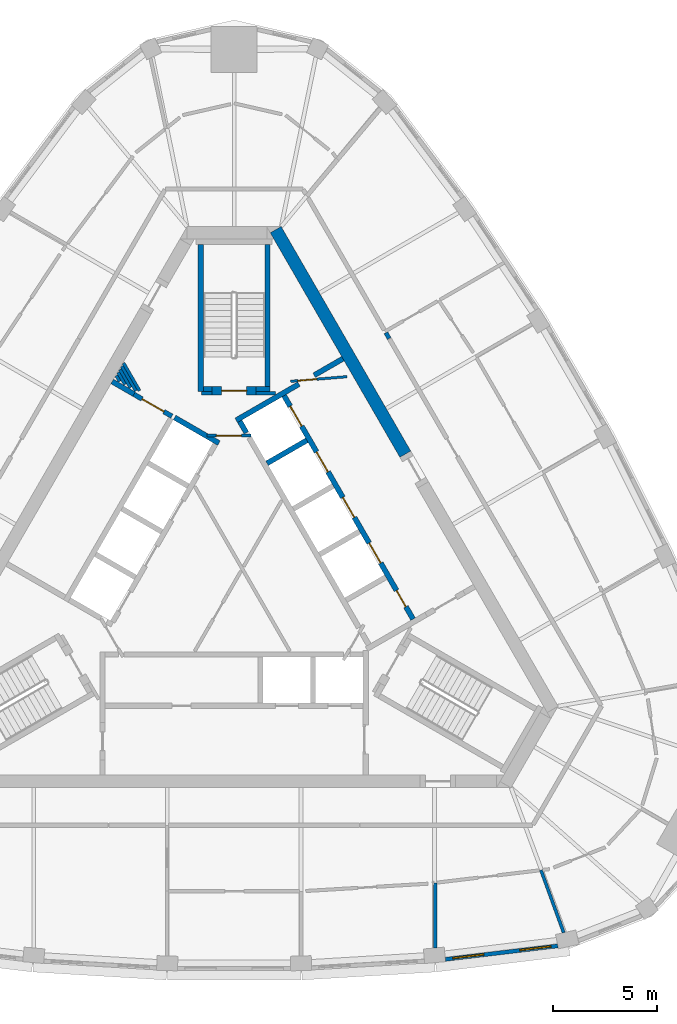
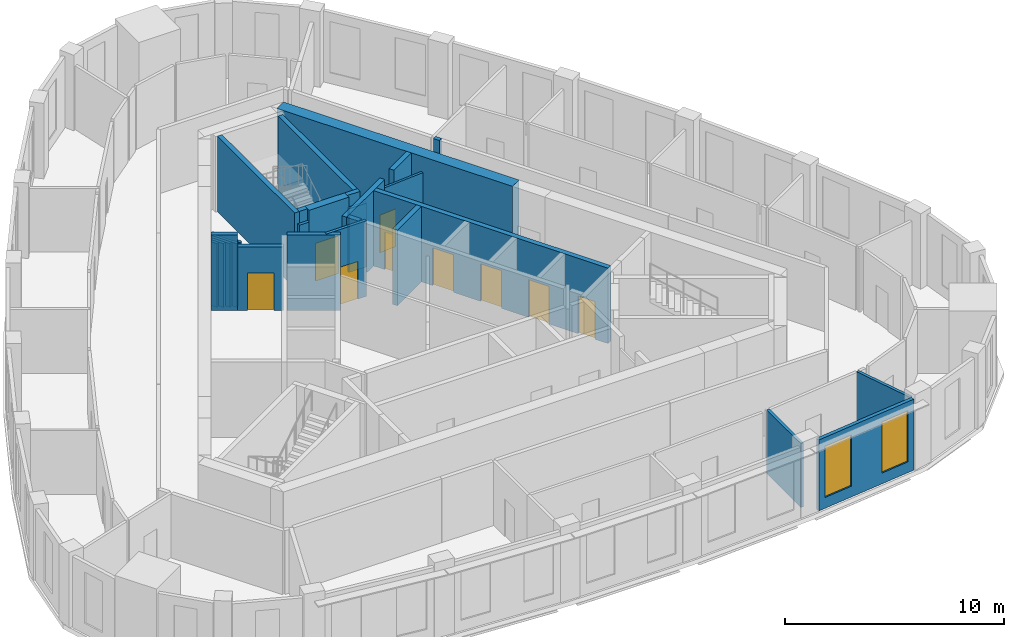
# One storey, part 6 of 10: 27 walls, 9 doors, 2 windows, 11 openings.
"""IFC4 building model written with IfcOpenShell, lengths in metres."""

import ifcopenshell
import ifcopenshell.guid

model = None  # the IFC model being written
_history = None  # IfcOwnerHistory: only IFC2X3 demands one
_inside = {}  # id of a spatial element -> (the spatial element, [elements in it])
_under = {}  # id of a project, library or spatial element -> (it, [spatial elements below it])
_declared = {}  # id of a project -> (the project, [libraries it declares])
_typed = {}  # id of a type object -> (the type object, [elements of that type])
_made_of = {}  # id of a material, layer set ... -> (it, [elements and type objects made of it])


def new_model(schema):
    """Start an empty IFC model of exactly this schema.

    Asked for "IFC4X3", IfcOpenShell would pick the latest addendum, in which some entities
    have other attributes; the version numbers below select the first issue.
    IFC2X3 requires an IfcOwnerHistory on every rooted entity: one is made here for all.
    """
    global model, _history
    if schema == "IFC4X3":
        model = ifcopenshell.file(schema_version=(4, 3, 0, 0))
    else:
        model = ifcopenshell.file(schema=schema)
    _inside.clear()
    _under.clear()
    _declared.clear()
    _typed.clear()
    _made_of.clear()
    _history = None
    if model.schema == "IFC2X3":
        org = make("IfcOrganization", Name="unknown")
        user = make(
            "IfcPersonAndOrganization",
            ThePerson=make("IfcPerson", FamilyName="unknown"),
            TheOrganization=org,
        )
        app = make(
            "IfcApplication",
            ApplicationDeveloper=org,
            Version="unknown",
            ApplicationFullName="unknown",
            ApplicationIdentifier="unknown",
        )
        _history = make(
            "IfcOwnerHistory",
            OwningUser=user,
            OwningApplication=app,
            ChangeAction="ADDED",
            CreationDate=0,
        )
    return model


def make(cls, **values):
    """One entity of the class cls with the attributes given. An attribute that is None is left unset."""
    return model.create_entity(
        cls, **{name: value for name, value in values.items() if value is not None}
    )


def rooted(cls, **values):
    """An entity with a GlobalId (a new one), such as an element, a storey or a relation."""
    return make(cls, GlobalId=ifcopenshell.guid.new(), OwnerHistory=_history, **values)


def si_unit(unit_type, name, prefix=None):
    """IfcSIUnit, for example si_unit("LENGTHUNIT", "METRE", prefix="MILLI")."""
    return make("IfcSIUnit", UnitType=unit_type, Prefix=prefix, Name=name)


def assignment(units):
    """IfcUnitAssignment: the units of a project."""
    return None if units is None else make("IfcUnitAssignment", Units=units)


def point(xyz):
    """IfcCartesianPoint."""
    return None if xyz is None else make("IfcCartesianPoint", Coordinates=xyz)


def direction(xyz):
    """IfcDirection."""
    return None if xyz is None else make("IfcDirection", DirectionRatios=xyz)


def frame(location, z_axis=None, x_axis=None):
    """IfcAxis2Placement3D, a coordinate frame: its origin and axes. An axis left out is left unset."""
    return make(
        "IfcAxis2Placement3D",
        Location=point(location),
        Axis=direction(z_axis),
        RefDirection=direction(x_axis),
    )


def frame_2d(location, x_axis=None):
    """IfcAxis2Placement2D, a coordinate frame in the plane: its origin and x axis."""
    return make(
        "IfcAxis2Placement2D", Location=point(location), RefDirection=direction(x_axis)
    )


def origin():
    """The frame at (0, 0, 0) with its axes left unset."""
    return frame((0.0, 0.0, 0.0))


def place(relative_to, where):
    """IfcLocalPlacement: puts the frame where relative to a parent placement (None: the world)."""
    return make(
        "IfcLocalPlacement", PlacementRelTo=relative_to, RelativePlacement=where
    )


def context(
    kind, dimensions, precision=None, world=None, true_north=None, identifier=None
):
    """IfcGeometricRepresentationContext, for example the 3D "Model" context."""
    return make(
        "IfcGeometricRepresentationContext",
        ContextIdentifier=identifier,
        ContextType=kind,
        CoordinateSpaceDimension=dimensions,
        Precision=precision,
        WorldCoordinateSystem=world,
        TrueNorth=true_north,
    )


def subcontext(parent, identifier, kind, view, scale=None):
    """IfcGeometricRepresentationSubContext, for example "Body" below "Model"."""
    return make(
        "IfcGeometricRepresentationSubContext",
        ContextIdentifier=identifier,
        ContextType=kind,
        ParentContext=parent,
        TargetScale=scale,
        TargetView=view,
    )


def project(units=None, contexts=None):
    """IfcProject with its units and contexts."""
    return rooted(
        "IfcProject",
        Name="project",
        RepresentationContexts=contexts,
        UnitsInContext=assignment(units),
    )


def spatial(cls, under=None, at=None, **own):
    """A site, building, storey or space (cls), placed at a placement, below another one or the project."""
    s = rooted(cls, ObjectPlacement=at, **own)
    if under is not None:
        _under.setdefault(under.id(), (under, []))[1].append(s)
    return s


def polyline(points):
    """IfcPolyline through the points."""
    return make("IfcPolyline", Points=[point(p) for p in points])


def profile(cls, at=None, kind="AREA", **sizes):
    """A parametric profile (cls). Its sizes go by their IFC names, for example OverallWidth=200.0."""
    return make(cls, ProfileType=kind, Position=at, **sizes)


def rectangle(**sizes):
    """IfcRectangleProfileDef."""
    return profile("IfcRectangleProfileDef", **sizes)


def outline(outer, holes=None, kind="AREA"):
    """IfcArbitraryClosedProfileDef: a profile drawn as a closed curve; with holes, ...WithVoids."""
    if holes is None:
        return make("IfcArbitraryClosedProfileDef", ProfileType=kind, OuterCurve=outer)
    return make(
        "IfcArbitraryProfileDefWithVoids",
        ProfileType=kind,
        OuterCurve=outer,
        InnerCurves=holes,
    )


def extrude(swept, where, along, depth):
    """IfcExtrudedAreaSolid: the profile swept, set in the frame where, extruded along a direction by depth."""
    return make(
        "IfcExtrudedAreaSolid",
        SweptArea=swept,
        Position=where,
        ExtrudedDirection=direction(along),
        Depth=depth,
    )


def shape(context_of_items, identifier, shape_type, items):
    """IfcShapeRepresentation: the items that make up one representation, for example the "Body"."""
    return make(
        "IfcShapeRepresentation",
        ContextOfItems=context_of_items,
        RepresentationIdentifier=identifier,
        RepresentationType=shape_type,
        Items=items,
    )


def material(Name=None, Category=None):
    """IfcMaterial."""
    return make("IfcMaterial", Name=Name, Category=Category)


def layer(
    of_material, thickness, ventilated=None, Name=None, Category=None, Priority=None
):
    """IfcMaterialLayer: one layer of a wall or slab, of a material (None: an air gap)."""
    return make(
        "IfcMaterialLayer",
        Material=of_material,
        LayerThickness=thickness,
        IsVentilated=ventilated,
        Name=Name,
        Category=Category,
        Priority=Priority,
    )


def layer_set(layers, Name=None):
    """IfcMaterialLayerSet."""
    return make("IfcMaterialLayerSet", MaterialLayers=layers, LayerSetName=Name)


def made_of(thing, what):
    """Note that an element or type object is made of a material, layer set ...; save() writes the relation."""
    if what is not None:
        _made_of.setdefault(what.id(), (what, []))[1].append(thing)
    return thing


def type_object(cls, material=None, **own):
    """A type object (cls), such as IfcWallType, which elements share."""
    return made_of(rooted(cls, **own), material)


def element(
    cls,
    number,
    at=None,
    inside=None,
    cuts=None,
    type_object=None,
    material=None,
    context=None,
    identifier="Body",
    shape_type=None,
    held_by="IfcProductDefinitionShape",
    body=None,
    shapes=None,
    **own,
):
    """One element of the class cls, such as IfcWall. Its Tag is "e" and its number.

    at: its placement. inside: the storey or other place that contains it. cuts: it is an
    opening in that element (IfcRelVoidsElement). A single representation is given by context,
    identifier, shape_type and body (its items); several are given by shapes. held_by: the class
    of the entity that holds the representations. save() writes the other relations.
    """
    e = rooted(cls, Tag="e%d" % number, ObjectPlacement=at, **own)
    if body is not None:
        shapes = [shape(context, identifier, shape_type, body)]
    if shapes is not None:
        e.Representation = make(held_by, Representations=shapes)
    if inside is not None:
        _inside.setdefault(inside.id(), (inside, []))[1].append(e)
    if cuts is not None:
        rooted(
            "IfcRelVoidsElement", RelatingBuildingElement=cuts, RelatedOpeningElement=e
        )
    if type_object is not None:
        _typed.setdefault(type_object.id(), (type_object, []))[1].append(e)
    return made_of(e, material)


def fill(opening, filler):
    """IfcRelFillsElement: the door or window that sits in an opening."""
    return rooted(
        "IfcRelFillsElement",
        RelatingOpeningElement=opening,
        RelatedBuildingElement=filler,
    )


def aggregate(whole, parts):
    """IfcRelAggregates: a whole, such as a stair, and the parts it consists of."""
    return rooted("IfcRelAggregates", RelatingObject=whole, RelatedObjects=parts)


def save(model, path):
    """Write the relations noted so far, then the file.

    IfcRelAggregates (storeys below a building ...), IfcRelContainedInSpatialStructure (elements
    in a storey), IfcRelDefinesByType, IfcRelAssociatesMaterial and IfcRelDeclares: one each for
    every whole, place, type object, material and project.
    """
    for whole, parts in _under.values():
        aggregate(whole, parts)
    for where, things in _inside.values():
        rooted(
            "IfcRelContainedInSpatialStructure",
            RelatedElements=things,
            RelatingStructure=where,
        )
    for kind, things in _typed.values():
        rooted("IfcRelDefinesByType", RelatedObjects=things, RelatingType=kind)
    for what, things in _made_of.values():
        rooted("IfcRelAssociatesMaterial", RelatedObjects=things, RelatingMaterial=what)
    for by, libraries in _declared.values():
        rooted("IfcRelDeclares", RelatingContext=by, RelatedDefinitions=libraries)
    model.write(path)


model = new_model("IFC4")

# Units and contexts
model_context = context("Model", 3, precision=1e-05, world=origin(), true_north=direction((0.0, 1.0)))
body_context = subcontext(model_context, "Body", "Model", "MODEL_VIEW")
ifc_project = project(units=[si_unit("LENGTHUNIT", "METRE"), si_unit("AREAUNIT", "SQUARE_METRE"), si_unit("VOLUMEUNIT", "CUBIC_METRE"), si_unit("PLANEANGLEUNIT", "RADIAN"), si_unit("MASSUNIT", "GRAM", prefix="KILO")], contexts=[model_context])

# Site, building, storey
site_placement = place(None, origin())
site = spatial("IfcSite", under=ifc_project, at=site_placement, CompositionType="ELEMENT")
building_placement = place(site_placement, origin())
building = spatial("IfcBuilding", under=site, at=building_placement, Name="Mestral Congress Tower", CompositionType="ELEMENT")
storey_placement = place(building_placement, frame((0.0, 0.0, 271.199951171875)))
storey = spatial("IfcBuildingStorey", under=building, at=storey_placement, Name="L63", CompositionType="ELEMENT", Elevation=271.199951171875)

# Walls
ifc_material_1 = material(Name="Fire-rated board partition")
ifc_layer_1 = layer(ifc_material_1, 0.14990234375)
ifc_layer_set_1 = layer_set([ifc_layer_1], Name="Fire-rated board partition")
wall_type_1 = type_object("IfcWallType", Name="Core partition 150", PredefinedType="PARTITIONING", material=ifc_layer_set_1)
wall_1_placement = place(storey_placement, frame((-5.2939453125, 10.067138671875, 0.0), z_axis=(0.0, 0.0, 1.0), x_axis=(0.500054140411, -0.865994143547, 0.0)))
element("IfcWall", 1, at=wall_1_placement, inside=storey, type_object=wall_type_1, Name="L63 core wall", PredefinedType="PARTITIONING", context=body_context, shape_type="SweptSolid", body=[
    extrude(rectangle(XDim=1.529052734375, YDim=0.14990234375, at=frame_2d((0.7646484375, 0.0))), origin(), (0.0, 0.0, 1.0), 3.550048828125),
])
wall_2_placement = place(storey_placement, frame((-5.380615234375, 9.917236328125, 0.0), z_axis=(0.0, 0.0, 1.0), x_axis=(0.500136970483, -0.865946309396, 0.0)))
element("IfcWall", 2, at=wall_2_placement, inside=storey, type_object=wall_type_1, Name="L63 core wall", PredefinedType="PARTITIONING", context=body_context, shape_type="SweptSolid", body=[
    extrude(rectangle(XDim=1.359375, YDim=0.14990234375, at=frame_2d((0.6796875, 0.0))), origin(), (0.0, 0.0, 1.0), 3.550048828125),
])
wall_3_placement = place(storey_placement, frame((-5.467041015625, 9.76708984375, 0.0), z_axis=(0.0, 0.0, 1.0), x_axis=(0.500168849293, -0.86592789665, 0.0)))
element("IfcWall", 3, at=wall_3_placement, inside=storey, type_object=wall_type_1, Name="L63 core wall", PredefinedType="PARTITIONING", context=body_context, shape_type="SweptSolid", body=[
    extrude(rectangle(XDim=1.010009765625, YDim=0.14990234375, at=frame_2d((0.5048828125, 0.0))), origin(), (0.0, 0.0, 1.0), 3.550048828125),
])
wall_4_placement = place(storey_placement, frame((-5.5537109375, 9.6171875, 0.0), z_axis=(0.0, 0.0, 1.0), x_axis=(0.500253084543, -0.86587923604, 0.0)))
element("IfcWall", 4, at=wall_4_placement, inside=storey, type_object=wall_type_1, Name="L63 core wall", PredefinedType="PARTITIONING", context=body_context, shape_type="SweptSolid", body=[
    extrude(rectangle(XDim=0.663818359375, YDim=0.14990234375, at=frame_2d((0.33203125, 0.0))), origin(), (0.0, 0.0, 1.0), 3.550048828125),
])
wall_5_placement = place(storey_placement, frame((-5.640380859375, 9.46728515625, 0.0), z_axis=(0.0, 0.0, 1.0), x_axis=(0.499944387978, -0.86605750902, 0.0)))
element("IfcWall", 5, at=wall_5_placement, inside=storey, type_object=wall_type_1, Name="L63 core wall", PredefinedType="PARTITIONING", context=body_context, shape_type="SweptSolid", body=[
    extrude(rectangle(XDim=0.3173828125, YDim=0.14990234375, at=frame_2d((0.15869140625, 0.0))), origin(), (0.0, 0.0, 1.0), 3.550048828125),
])
wall_6_placement = place(storey_placement, frame((1.050048828125, 8.62548828125, 0.0), z_axis=(0.0, 0.0, 1.0), x_axis=(1.0, 0.0, 0.0)))
element("IfcWall", 6, at=wall_6_placement, inside=storey, type_object=wall_type_1, Name="L63 core wall", PredefinedType="PARTITIONING", context=body_context, shape_type="SweptSolid", body=[
    extrude(rectangle(XDim=0.9287109375, YDim=0.14990234375, at=frame_2d((0.46435546875, 0.0))), origin(), (0.0, 0.0, 1.0), 3.550048828125),
])
wall_7_placement = place(storey_placement, frame((-1.56396484375, 8.62548828125, 0.0), z_axis=(0.0, 0.0, 1.0), x_axis=(1.0, 0.0, 0.0)))
element("IfcWall", 7, at=wall_7_placement, inside=storey, type_object=wall_type_1, Name="L63 core wall", PredefinedType="PARTITIONING", context=body_context, shape_type="SweptSolid", body=[
    extrude(rectangle(XDim=0.513916015625, YDim=0.14990234375, at=frame_2d((0.2568359375, 0.0))), origin(), (0.0, 0.0, 1.0), 3.550048828125),
])

# Wall, opening, door
ifc_layer_2 = layer(ifc_material_1, 0.1201171875)
ifc_layer_set_2 = layer_set([ifc_layer_2], Name="Fire-rated board partition")
wall_type_2 = type_object("IfcWallType", Name="Core partition 150 door-wall 120", PredefinedType="PARTITIONING", material=ifc_layer_set_2)
wall_8_placement = place(storey_placement, frame((5.3984375, 9.418701171875, 0.0), z_axis=(0.0, 0.0, 1.0), x_axis=(-0.996653416376, -0.081743303248, 0.0)))
wall_8 = element("IfcWall", 8, at=wall_8_placement, inside=storey, type_object=wall_type_2, Name="L63 door wall", PredefinedType="PARTITIONING", context=body_context, shape_type="SweptSolid", body=[
    extrude(rectangle(XDim=2.699951171875, YDim=0.119873046875, at=frame_2d((1.35009765625, 0.0))), origin(), (0.0, 0.0, 1.0), 3.550048828125),
])
opening_1_placement = place(wall_8_placement, frame((1.449951171875, 0.0, 0.0)))
opening_1 = element("IfcOpeningElement", 9, at=opening_1_placement, cuts=wall_8, Name="Opening TD2", PredefinedType="OPENING", context=body_context, shape_type="SweptSolid", body=[
    extrude(rectangle(XDim=0.89990234375, YDim=2.10009765625, at=frame_2d((0.449951171875, 1.050048828125))), frame((0.0, 0.06982421875, 0.0), z_axis=(0.0, -1.0, 0.0), x_axis=(1.0, 0.0, 0.0)), (0.0, 0.0, 1.0), 0.139892578125),
])
ifc_material_2 = material(Name="Fire-rated steel door set", Category="steel")
door_type_1 = type_object("IfcDoorType", Name="Core door SR 900x2100", OperationType="SINGLE_SWING_LEFT", PredefinedType="DOOR", material=ifc_material_2)
door_1_placement = place(opening_1_placement, origin())
door_1 = element("IfcDoor", 10, at=door_1_placement, inside=storey, type_object=door_type_1, Name="Door TD2", OperationType="SINGLE_SWING_LEFT", OverallHeight=2.10009765625, OverallWidth=0.89990234375, PredefinedType="DOOR", context=body_context, shape_type="SweptSolid", body=[
    extrude(rectangle(XDim=0.89990234375, YDim=2.10009765625, at=frame_2d((0.449951171875, 1.050048828125))), frame((0.0, 0.02490234375, 0.0), z_axis=(0.0, -1.0, 0.0), x_axis=(1.0, 0.0, 0.0)), (0.0, 0.0, 1.0), 0.050048828125),
])
fill(opening_1, door_1)

ifc_layer_3 = layer(ifc_material_1, 0.22607421875)
ifc_layer_set_3 = layer_set([ifc_layer_3], Name="Fire-rated board partition")
wall_type_3 = type_object("IfcWallType", Name="Core partition 150 door-wall 226", PredefinedType="PARTITIONING", material=ifc_layer_set_3)
wall_9_placement = place(storey_placement, frame((-4.796142578125, 8.5751953125, 0.0), z_axis=(0.0, 0.0, 1.0), x_axis=(0.866009402589, -0.500027713859, 0.0)))
wall_9 = element("IfcWall", 11, at=wall_9_placement, inside=storey, type_object=wall_type_3, Name="L63 door wall", PredefinedType="PARTITIONING", context=body_context, shape_type="SweptSolid", body=[
    extrude(rectangle(XDim=2.10009765625, YDim=0.226318359375, at=frame_2d((1.050048828125, 0.0))), origin(), (0.0, 0.0, 1.0), 3.550048828125),
])
opening_2_placement = place(wall_9_placement, frame((0.449951171875, 0.0, 0.0)))
opening_2 = element("IfcOpeningElement", 12, at=opening_2_placement, cuts=wall_9, Name="Opening LB2-WL2", PredefinedType="OPENING", context=body_context, shape_type="SweptSolid", body=[
    extrude(rectangle(XDim=1.199951171875, YDim=2.10009765625, at=frame_2d((0.60009765625, 1.050048828125))), frame((0.0, 0.123046875, 0.0), z_axis=(0.0, -1.0, 0.0), x_axis=(1.0, 0.0, 0.0)), (0.0, 0.0, 1.0), 0.246337890625),
])
door_type_2 = type_object("IfcDoorType", Name="Core door LB 1200x2100", OperationType="SINGLE_SWING_LEFT", PredefinedType="DOOR", material=ifc_material_2)
door_2_placement = place(opening_2_placement, origin())
door_2 = element("IfcDoor", 13, at=door_2_placement, inside=storey, type_object=door_type_2, Name="Door LB2-WL2", OperationType="SINGLE_SWING_LEFT", OverallHeight=2.10009765625, OverallWidth=1.199951171875, PredefinedType="DOOR", context=body_context, shape_type="SweptSolid", body=[
    extrude(rectangle(XDim=1.199951171875, YDim=2.10009765625, at=frame_2d((0.60009765625, 1.050048828125))), frame((0.0, 0.02490234375, 0.0), z_axis=(0.0, -1.0, 0.0), x_axis=(1.0, 0.0, 0.0)), (0.0, 0.0, 1.0), 0.050048828125),
])
fill(opening_2, door_2)

# Wall
ifc_material_3 = material(Name="Concrete C60/75", Category="concrete")
ifc_layer_4 = layer(ifc_material_3, 0.60009765625)
ifc_layer_set_4 = layer_set([ifc_layer_4], Name="Concrete C60/75")
wall_type_4 = type_object("IfcWallType", Name="Core wall RC 600", PredefinedType="SOLIDWALL", material=ifc_layer_set_4)
wall_10_placement = place(storey_placement, frame((1.98876953125, 16.45556640625, 0.0), z_axis=(0.0, 0.0, 1.0), x_axis=(0.49999102663, -0.8660305845, 0.0)))
element("IfcWall", 14, at=wall_10_placement, inside=storey, type_object=wall_type_4, Name="L63 core wall", PredefinedType="SOLIDWALL", context=body_context, shape_type="SweptSolid", body=[
    extrude(rectangle(XDim=12.406494140625, YDim=0.60009765625, at=frame_2d((6.203125, 0.0))), origin(), (0.0, 0.0, 1.0), 4.199951171875),
])

# Wall, openings, windows
ifc_material_4 = material(Name="Precast concrete C40/50 with limestone facing", Category="masonry")
ifc_layer_5 = layer(ifc_material_4, 0.18994140625)
ifc_layer_set_5 = layer_set([ifc_layer_5], Name="Precast concrete C40/50 with limestone facing")
wall_type_5 = type_object("IfcWallType", Name="Facade stone wall 190", PredefinedType="SOLIDWALL", material=ifc_layer_set_5)
wall_11_placement = place(storey_placement, frame((10.110595703125, -18.4677734375, 0.0), z_axis=(0.0, 0.0, 1.0), x_axis=(0.992885582795, 0.119072328769, 0.0)))
wall_11 = element("IfcWall", 15, at=wall_11_placement, inside=storey, type_object=wall_type_5, Name="Facade wall F0-04", PredefinedType="SOLIDWALL", context=body_context, shape_type="SweptSolid", body=[
    extrude(rectangle(XDim=5.4150390625, YDim=0.18994140625, at=frame_2d((2.70751953125, 0.0))), origin(), (0.0, 0.0, 1.0), 3.949951171875),
])
opening_3_placement = place(wall_11_placement, frame((0.357421875, 0.0, 0.60009765625)))
opening_3 = element("IfcOpeningElement", 16, at=opening_3_placement, cuts=wall_11, Name="Opening W6", PredefinedType="OPENING", context=body_context, shape_type="SweptSolid", body=[
    extrude(rectangle(XDim=1.5, YDim=2.85009765625, at=frame_2d((0.75, 1.425048828125))), frame((0.0, 0.10498046875, 0.0), z_axis=(0.0, -1.0, 0.0), x_axis=(1.0, 0.0, 0.0)), (0.0, 0.0, 1.0), 0.2099609375),
])
opening_4_placement = place(wall_11_placement, frame((3.592529296875, 0.0, 0.60009765625)))
opening_4 = element("IfcOpeningElement", 17, at=opening_4_placement, cuts=wall_11, Name="Opening W6", PredefinedType="OPENING", context=body_context, shape_type="SweptSolid", body=[
    extrude(rectangle(XDim=1.5, YDim=2.85009765625, at=frame_2d((0.75, 1.425048828125))), frame((0.0, 0.10498046875, 0.0), z_axis=(0.0, -1.0, 0.0), x_axis=(1.0, 0.0, 0.0)), (0.0, 0.0, 1.0), 0.2099609375),
])
ifc_material_5 = material(Name="Clear low-emissivity double glazing", Category="glass")
window_type = type_object("IfcWindowType", Name="Facade punched window 1500 x 2850 sill 600", PartitioningType="SINGLE_PANEL", PredefinedType="WINDOW", material=ifc_material_5)
window_1_placement = place(opening_3_placement, origin())
window_1 = element("IfcWindow", 18, at=window_1_placement, inside=storey, type_object=window_type, Name="Window F0-04a", OverallHeight=2.85009765625, OverallWidth=1.5, PartitioningType="SINGLE_PANEL", PredefinedType="WINDOW", context=body_context, shape_type="SweptSolid", body=[
    extrude(rectangle(XDim=1.5, YDim=2.85009765625, at=frame_2d((0.75, 1.425048828125))), frame((0.0, 0.044921875, 0.0), z_axis=(0.0, -1.0, 0.0), x_axis=(1.0, 0.0, 0.0)), (0.0, 0.0, 1.0), 0.06005859375),
])
fill(opening_3, window_1)
window_2_placement = place(opening_4_placement, origin())
window_2 = element("IfcWindow", 19, at=window_2_placement, inside=storey, type_object=window_type, Name="Window F0-04b", OverallHeight=2.85009765625, OverallWidth=1.5, PartitioningType="SINGLE_PANEL", PredefinedType="WINDOW", context=body_context, shape_type="SweptSolid", body=[
    extrude(rectangle(XDim=1.5, YDim=2.85009765625, at=frame_2d((0.75, 1.425048828125))), frame((0.0, 0.044921875, 0.0), z_axis=(0.0, -1.0, 0.0), x_axis=(1.0, 0.0, 0.0)), (0.0, 0.0, 1.0), 0.06005859375),
])
fill(opening_4, window_2)

# Walls
ifc_material_6 = material(Name="Plasterboard partition on steel studs", Category="steel")
ifc_layer_6 = layer(ifc_material_6, 0.14990234375)
ifc_layer_set_6 = layer_set([ifc_layer_6], Name="Plasterboard partition on steel studs")
wall_type_6 = type_object("IfcWallType", Name="Office partition 150", PredefinedType="PARTITIONING", material=ifc_layer_set_6)
wall_12_placement = place(storey_placement, frame((9.62744140625, -14.80419921875, 0.0), z_axis=(0.0, 0.0, 1.0), x_axis=(0.0, -1.0, 0.0)))
element("IfcWall", 20, at=wall_12_placement, inside=storey, type_object=wall_type_6, Name="Partition", PredefinedType="PARTITIONING", context=body_context, shape_type="SweptSolid", body=[
    extrude(rectangle(XDim=3.114501953125, YDim=0.14990234375, at=frame_2d((1.55712890625, 0.0))), origin(), (0.0, 0.0, 1.0), 3.550048828125),
])
wall_13_placement = place(storey_placement, frame((14.68603515625, -14.19775390625, 0.0), z_axis=(0.0, 0.0, 1.0), x_axis=(0.341804623966, -0.939771035431, 0.0)))
element("IfcWall", 21, at=wall_13_placement, inside=storey, type_object=wall_type_6, Name="Partition", PredefinedType="PARTITIONING", context=body_context, shape_type="SweptSolid", body=[
    extrude(rectangle(XDim=3.184326171875, YDim=0.14990234375, at=frame_2d((1.59228515625, 0.0))), origin(), (0.0, 0.0, 1.0), 3.550048828125),
])
ifc_material_7 = material(Name="Dense masonry wall, plastered", Category="masonry")
ifc_layer_7 = layer(ifc_material_7, 0.199951171875)
ifc_layer_set_7 = layer_set([ifc_layer_7], Name="Dense masonry wall, plastered")
wall_type_7 = type_object("IfcWallType", Name="Office tenancy wall 200", PredefinedType="PARTITIONING", material=ifc_layer_set_7)
wall_14_placement = place(storey_placement, frame((7.420654296875, 11.2470703125, 0.0), z_axis=(0.0, 0.0, 1.0), x_axis=(-0.500303403544, 0.865850162789, 0.0)))
element("IfcWall", 22, at=wall_14_placement, inside=storey, type_object=wall_type_7, Name="Tenancy wall", PredefinedType="PARTITIONING", context=body_context, shape_type="SweptSolid", body=[
    extrude(rectangle(XDim=0.315185546875, YDim=0.199951171875, at=frame_2d((0.15771484375, 0.0))), origin(), (0.0, 0.0, 1.0), 3.550048828125),
])
ifc_layer_8 = layer(ifc_material_3, 0.25)
ifc_layer_set_8 = layer_set([ifc_layer_8], Name="Concrete C60/75")
wall_type_8 = type_object("IfcWallType", Name="Shaft wall RC 250", PredefinedType="SOLIDWALL", material=ifc_layer_set_8)
wall_15_placement = place(storey_placement, frame((3.10009765625, 9.064453125, 0.0), z_axis=(0.0, 0.0, 1.0), x_axis=(-0.866033137035, -0.499986605379, 0.0)))
element("IfcWall", 23, at=wall_15_placement, inside=storey, type_object=wall_type_8, Name="L63 core wall", PredefinedType="SOLIDWALL", context=body_context, shape_type="SweptSolid", body=[
    extrude(rectangle(XDim=3.466796875, YDim=0.25, at=frame_2d((1.7333984375, 0.0))), origin(), (0.0, 0.0, 1.0), 4.199951171875),
])
wall_16_placement = place(storey_placement, frame((0.268310546875, 7.28515625, 0.0), z_axis=(0.0, 0.0, 1.0), x_axis=(0.500098681536, -0.865968422476, 0.0)))
element("IfcWall", 24, at=wall_16_placement, inside=storey, type_object=wall_type_8, Name="L63 core wall", PredefinedType="SOLIDWALL", context=body_context, shape_type="SweptSolid", body=[
    extrude(rectangle(XDim=0.636474609375, YDim=0.25, at=frame_2d((0.318359375, 0.0))), origin(), (0.0, 0.0, 1.0), 4.199951171875),
])
wall_17_placement = place(storey_placement, frame((1.57421875, 5.273681640625, 0.0), z_axis=(0.0, 0.0, 1.0), x_axis=(0.866028486751, 0.499994660107, 0.0)))
element("IfcWall", 25, at=wall_17_placement, inside=storey, type_object=wall_type_8, Name="L63 core wall", PredefinedType="SOLIDWALL", context=body_context, shape_type="SweptSolid", body=[
    extrude(rectangle(XDim=2.19970703125, YDim=0.25, at=frame_2d((1.099853515625, 0.0))), origin(), (0.0, 0.0, 1.0), 4.199951171875),
])
wall_18_placement = place(storey_placement, frame((3.82958984375, 9.485595703125, 0.0), z_axis=(0.0, 0.0, 1.0), x_axis=(0.865986202621, 0.500067892261, 0.0)))
element("IfcWall", 26, at=wall_18_placement, inside=storey, type_object=wall_type_8, Name="L63 core wall", PredefinedType="SOLIDWALL", context=body_context, shape_type="SweptSolid", body=[
    extrude(rectangle(XDim=1.590576171875, YDim=0.25, at=frame_2d((0.79541015625, 0.0))), origin(), (0.0, 0.0, 1.0), 4.199951171875),
])
wall_19_placement = place(storey_placement, origin())
element("IfcWall", 27, at=wall_19_placement, inside=storey, type_object=wall_type_8, Name="L63 core wall", PredefinedType="SOLIDWALL", context=body_context, shape_type="SweptSolid", body=[
    extrude(outline(polyline([(-2.911865234375, 7.3564453125), (-2.786865234375, 7.572998046875), (-1.231689453125, 6.675048828125), (-1.303466796875, 6.675048828125), (-1.3037109375, 6.675048828125), (-1.3037109375, 6.675048828125), (-1.3037109375, 6.52490234375), (-1.3037109375, 6.52490234375), (-1.303466796875, 6.52490234375), (-0.971435546875, 6.52490234375), (-0.6650390625, 6.347900390625), (-0.7900390625, 6.131591796875), (-1.006591796875, 6.256591796875), (-1.006591796875, 6.256591796875), (-2.911865234375, 7.3564453125)])), origin(), (0.0, 0.0, 1.0), 4.199951171875),
])
wall_20_placement = place(storey_placement, frame((-5.837158203125, 9.189697265625, 0.0), z_axis=(0.0, 0.0, 1.0), x_axis=(0.866024298998, -0.500001913541, 0.0)))
element("IfcWall", 28, at=wall_20_placement, inside=storey, type_object=wall_type_8, Name="L63 core wall", PredefinedType="SOLIDWALL", context=body_context, shape_type="SweptSolid", body=[
    extrude(rectangle(XDim=1.2099609375, YDim=0.25, at=frame_2d((0.60498046875, 0.0))), origin(), (0.0, 0.0, 1.0), 4.199951171875),
])

# Wall, openings, doors
wall_21_placement = place(storey_placement, frame((8.565185546875, -2.185302734375, 0.0), z_axis=(0.0, 0.0, 1.0), x_axis=(-0.499997954832, 0.866026584559, 0.0)))
wall_21 = element("IfcWall", 29, at=wall_21_placement, inside=storey, type_object=wall_type_8, Name="L63 door wall", PredefinedType="SOLIDWALL", context=body_context, shape_type="SweptSolid", body=[
    extrude(rectangle(XDim=12.35009765625, YDim=0.25, at=frame_2d((6.175048828125, 0.0))), origin(), (0.0, 0.0, 1.0), 4.199951171875),
])
opening_5_placement = place(wall_21_placement, frame((0.68505859375, 0.0, 0.0)))
opening_5 = element("IfcOpeningElement", 30, at=opening_5_placement, cuts=wall_21, Name="Opening SR-NEB1", PredefinedType="OPENING", context=body_context, shape_type="SweptSolid", body=[
    extrude(rectangle(XDim=0.89990234375, YDim=2.10009765625, at=frame_2d((0.449951171875, 1.050048828125))), frame((0.0, 0.135009765625, 0.0), z_axis=(0.0, -1.0, 0.0), x_axis=(1.0, 0.0, 0.0)), (0.0, 0.0, 1.0), 0.27001953125),
])
opening_6_placement = place(wall_21_placement, frame((3.10498046875, 0.0, 0.0)))
opening_6 = element("IfcOpeningElement", 31, at=opening_6_placement, cuts=wall_21, Name="Opening LD-NEB2", PredefinedType="OPENING", context=body_context, shape_type="SweptSolid", body=[
    extrude(rectangle(XDim=1.10009765625, YDim=2.10009765625, at=frame_2d((0.550048828125, 1.050048828125))), frame((0.0, 0.135009765625, 0.0), z_axis=(0.0, -1.0, 0.0), x_axis=(1.0, 0.0, 0.0)), (0.0, 0.0, 1.0), 0.27001953125),
])
opening_7_placement = place(wall_21_placement, frame((5.625, 0.0, 0.0)))
opening_7 = element("IfcOpeningElement", 32, at=opening_7_placement, cuts=wall_21, Name="Opening LD-NEB3", PredefinedType="OPENING", context=body_context, shape_type="SweptSolid", body=[
    extrude(rectangle(XDim=1.10009765625, YDim=2.10009765625, at=frame_2d((0.550048828125, 1.050048828125))), frame((0.0, 0.135009765625, 0.0), z_axis=(0.0, -1.0, 0.0), x_axis=(1.0, 0.0, 0.0)), (0.0, 0.0, 1.0), 0.27001953125),
])
opening_8_placement = place(wall_21_placement, frame((8.14501953125, 0.0, 0.0)))
opening_8 = element("IfcOpeningElement", 33, at=opening_8_placement, cuts=wall_21, Name="Opening LD-NEB4", PredefinedType="OPENING", context=body_context, shape_type="SweptSolid", body=[
    extrude(rectangle(XDim=1.10009765625, YDim=2.10009765625, at=frame_2d((0.550048828125, 1.050048828125))), frame((0.0, 0.135009765625, 0.0), z_axis=(0.0, -1.0, 0.0), x_axis=(1.0, 0.0, 0.0)), (0.0, 0.0, 1.0), 0.27001953125),
])
opening_9_placement = place(wall_21_placement, frame((10.6650390625, 0.0, 0.0)))
opening_9 = element("IfcOpeningElement", 34, at=opening_9_placement, cuts=wall_21, Name="Opening LD-NEB5", PredefinedType="OPENING", context=body_context, shape_type="SweptSolid", body=[
    extrude(rectangle(XDim=1.10009765625, YDim=2.10009765625, at=frame_2d((0.550048828125, 1.050048828125))), frame((0.0, 0.135009765625, 0.0), z_axis=(0.0, -1.0, 0.0), x_axis=(1.0, 0.0, 0.0)), (0.0, 0.0, 1.0), 0.27001953125),
])
door_type_3 = type_object("IfcDoorType", Name="Core door LD 1100x2100", OperationType="DOUBLE_DOOR_SLIDING", PredefinedType="DOOR", material=ifc_material_2)
door_3_placement = place(opening_6_placement, origin())
door_3 = element("IfcDoor", 35, at=door_3_placement, inside=storey, type_object=door_type_3, Name="Door LD-NEB2", OperationType="DOUBLE_DOOR_SLIDING", OverallHeight=2.10009765625, OverallWidth=1.10009765625, PredefinedType="DOOR", context=body_context, shape_type="SweptSolid", body=[
    extrude(rectangle(XDim=1.10009765625, YDim=2.10009765625, at=frame_2d((0.550048828125, 1.050048828125))), frame((0.0, 0.02490234375, 0.0), z_axis=(0.0, -1.0, 0.0), x_axis=(1.0, 0.0, 0.0)), (0.0, 0.0, 1.0), 0.050048828125),
])
fill(opening_6, door_3)
door_4_placement = place(opening_7_placement, origin())
door_4 = element("IfcDoor", 36, at=door_4_placement, inside=storey, type_object=door_type_3, Name="Door LD-NEB3", OperationType="DOUBLE_DOOR_SLIDING", OverallHeight=2.10009765625, OverallWidth=1.10009765625, PredefinedType="DOOR", context=body_context, shape_type="SweptSolid", body=[
    extrude(rectangle(XDim=1.10009765625, YDim=2.10009765625, at=frame_2d((0.550048828125, 1.050048828125))), frame((0.0, 0.02490234375, 0.0), z_axis=(0.0, -1.0, 0.0), x_axis=(1.0, 0.0, 0.0)), (0.0, 0.0, 1.0), 0.050048828125),
])
fill(opening_7, door_4)
door_5_placement = place(opening_8_placement, origin())
door_5 = element("IfcDoor", 37, at=door_5_placement, inside=storey, type_object=door_type_3, Name="Door LD-NEB4", OperationType="DOUBLE_DOOR_SLIDING", OverallHeight=2.10009765625, OverallWidth=1.10009765625, PredefinedType="DOOR", context=body_context, shape_type="SweptSolid", body=[
    extrude(rectangle(XDim=1.10009765625, YDim=2.10009765625, at=frame_2d((0.550048828125, 1.050048828125))), frame((0.0, 0.02490234375, 0.0), z_axis=(0.0, -1.0, 0.0), x_axis=(1.0, 0.0, 0.0)), (0.0, 0.0, 1.0), 0.050048828125),
])
fill(opening_8, door_5)
door_6_placement = place(opening_9_placement, origin())
door_6 = element("IfcDoor", 38, at=door_6_placement, inside=storey, type_object=door_type_3, Name="Door LD-NEB5", OperationType="DOUBLE_DOOR_SLIDING", OverallHeight=2.10009765625, OverallWidth=1.10009765625, PredefinedType="DOOR", context=body_context, shape_type="SweptSolid", body=[
    extrude(rectangle(XDim=1.10009765625, YDim=2.10009765625, at=frame_2d((0.550048828125, 1.050048828125))), frame((0.0, 0.02490234375, 0.0), z_axis=(0.0, -1.0, 0.0), x_axis=(1.0, 0.0, 0.0)), (0.0, 0.0, 1.0), 0.050048828125),
])
fill(opening_9, door_6)
door_7_placement = place(opening_5_placement, origin())
door_7 = element("IfcDoor", 39, at=door_7_placement, inside=storey, type_object=door_type_1, Name="Door SR-NEB1", OperationType="SINGLE_SWING_LEFT", OverallHeight=2.10009765625, OverallWidth=0.89990234375, PredefinedType="DOOR", context=body_context, shape_type="SweptSolid", body=[
    extrude(rectangle(XDim=0.89990234375, YDim=2.10009765625, at=frame_2d((0.449951171875, 1.050048828125))), frame((0.0, 0.02490234375, 0.0), z_axis=(0.0, -1.0, 0.0), x_axis=(1.0, 0.0, 0.0)), (0.0, 0.0, 1.0), 0.050048828125),
])
fill(opening_5, door_7)

# Wall, opening, door
ifc_layer_9 = layer(ifc_material_3, 0.14990234375)
ifc_layer_set_9 = layer_set([ifc_layer_9], Name="Concrete C60/75")
wall_type_9 = type_object("IfcWallType", Name="Shaft wall RC 250 door-wall 150", PredefinedType="SOLIDWALL", material=ifc_layer_set_9)
wall_22_placement = place(storey_placement, frame((-1.303466796875, 6.60009765625, 0.0), z_axis=(0.0, 0.0, 1.0), x_axis=(1.0, 0.0, 0.0)))
wall_22 = element("IfcWall", 40, at=wall_22_placement, inside=storey, type_object=wall_type_9, Name="L63 door wall", PredefinedType="PARTITIONING", context=body_context, shape_type="SweptSolid", body=[
    extrude(rectangle(XDim=2.099853515625, YDim=0.14990234375, at=frame_2d((1.0498046875, 0.0))), origin(), (0.0, 0.0, 1.0), 4.199951171875),
])
opening_10_placement = place(wall_22_placement, frame((0.449951171875, 0.0, 0.0)))
opening_10 = element("IfcOpeningElement", 41, at=opening_10_placement, cuts=wall_22, Name="Opening CD2-HUB1", PredefinedType="OPENING", context=body_context, shape_type="SweptSolid", body=[
    extrude(rectangle(XDim=1.199951171875, YDim=2.10009765625, at=frame_2d((0.60009765625, 1.050048828125))), frame((0.0, 0.0849609375, 0.0), z_axis=(0.0, -1.0, 0.0), x_axis=(1.0, 0.0, 0.0)), (0.0, 0.0, 1.0), 0.169921875),
])
door_type_4 = type_object("IfcDoorType", Name="Core door CD 1200x2100", OperationType="SINGLE_SWING_LEFT", PredefinedType="DOOR", material=ifc_material_2)
door_8_placement = place(opening_10_placement, origin())
door_8 = element("IfcDoor", 42, at=door_8_placement, inside=storey, type_object=door_type_4, Name="Door CD2-HUB1", OperationType="SINGLE_SWING_LEFT", OverallHeight=2.10009765625, OverallWidth=1.199951171875, PredefinedType="DOOR", context=body_context, shape_type="SweptSolid", body=[
    extrude(rectangle(XDim=1.199951171875, YDim=2.10009765625, at=frame_2d((0.60009765625, 1.050048828125))), frame((0.0, 0.02490234375, 0.0), z_axis=(0.0, -1.0, 0.0), x_axis=(1.0, 0.0, 0.0)), (0.0, 0.0, 1.0), 0.050048828125),
])
fill(opening_10, door_8)

# Walls
ifc_layer_10 = layer(ifc_material_3, 0.25)
ifc_layer_set_10 = layer_set([ifc_layer_10], Name="Concrete C60/75")
wall_type_10 = type_object("IfcWallType", Name="Stair wall RC 250", PredefinedType="SOLIDWALL", material=ifc_layer_set_10)
wall_23_placement = place(storey_placement, frame((1.60009765625, 8.949951171875, 0.0), z_axis=(0.0, 0.0, 1.0), x_axis=(0.0, 1.0, 0.0)))
element("IfcWall", 43, at=wall_23_placement, inside=storey, type_object=wall_type_10, Name="L63 core wall", PredefinedType="SOLIDWALL", context=body_context, shape_type="SweptSolid", body=[
    extrude(rectangle(XDim=6.800048828125, YDim=0.25, at=frame_2d((3.39990234375, 0.0))), origin(), (0.0, 0.0, 1.0), 4.199951171875),
])
wall_24_placement = place(storey_placement, frame((1.050048828125, 8.824951171875, 0.0), z_axis=(0.0, 0.0, 1.0), x_axis=(1.0, 0.0, 0.0)))
element("IfcWall", 44, at=wall_24_placement, inside=storey, type_object=wall_type_10, Name="L63 core wall", PredefinedType="SOLIDWALL", context=body_context, shape_type="SweptSolid", body=[
    extrude(rectangle(XDim=0.675048828125, YDim=0.25, at=frame_2d((0.33740234375, 0.0))), origin(), (0.0, 0.0, 1.0), 4.199951171875),
])
wall_25_placement = place(storey_placement, frame((-1.60009765625, 8.699951171875, 0.0), z_axis=(0.0, 0.0, 1.0), x_axis=(0.0, 1.0, 0.0)))
element("IfcWall", 45, at=wall_25_placement, inside=storey, type_object=wall_type_10, Name="L63 core wall", PredefinedType="SOLIDWALL", context=body_context, shape_type="SweptSolid", body=[
    extrude(rectangle(XDim=7.050048828125, YDim=0.25, at=frame_2d((3.52490234375, 0.0))), origin(), (0.0, 0.0, 1.0), 4.199951171875),
])
wall_26_placement = place(storey_placement, frame((-1.47509765625, 8.824951171875, 0.0), z_axis=(0.0, 0.0, 1.0), x_axis=(1.0, 0.0, 0.0)))
element("IfcWall", 46, at=wall_26_placement, inside=storey, type_object=wall_type_10, Name="L63 core wall", PredefinedType="SOLIDWALL", context=body_context, shape_type="SweptSolid", body=[
    extrude(rectangle(XDim=0.425048828125, YDim=0.25, at=frame_2d((0.21240234375, 0.0))), origin(), (0.0, 0.0, 1.0), 4.199951171875),
])

# Wall, opening, door
ifc_layer_11 = layer(ifc_material_3, 0.39990234375)
ifc_layer_set_11 = layer_set([ifc_layer_11], Name="Concrete C60/75")
wall_type_11 = type_object("IfcWallType", Name="Stair wall RC 250 door-wall 400", PredefinedType="SOLIDWALL", material=ifc_layer_set_11)
wall_27_placement = place(storey_placement, frame((1.050048828125, 8.75, 0.0), z_axis=(0.0, 0.0, 1.0), x_axis=(-1.0, 0.0, 0.0)))
wall_27 = element("IfcWall", 47, at=wall_27_placement, inside=storey, type_object=wall_type_11, Name="L63 door wall", PredefinedType="SOLIDWALL", context=body_context, shape_type="SweptSolid", body=[
    extrude(rectangle(XDim=2.10009765625, YDim=0.39990234375, at=frame_2d((1.050048828125, 0.0))), origin(), (0.0, 0.0, 1.0), 4.199951171875),
])
opening_11_placement = place(wall_27_placement, frame((0.449951171875, 0.0, 0.0)))
opening_11 = element("IfcOpeningElement", 48, at=opening_11_placement, cuts=wall_27, Name="Opening ST-D2", PredefinedType="OPENING", context=body_context, shape_type="SweptSolid", body=[
    extrude(rectangle(XDim=1.199951171875, YDim=2.10009765625, at=frame_2d((0.60009765625, 1.050048828125))), frame((0.0, 0.2099609375, 0.0), z_axis=(0.0, -1.0, 0.0), x_axis=(1.0, 0.0, 0.0)), (0.0, 0.0, 1.0), 0.419921875),
])
door_type_5 = type_object("IfcDoorType", Name="Core door ST 1200x2100", OperationType="SINGLE_SWING_LEFT", PredefinedType="DOOR", material=ifc_material_2)
door_9_placement = place(opening_11_placement, origin())
door_9 = element("IfcDoor", 49, at=door_9_placement, inside=storey, type_object=door_type_5, Name="Door ST-D2", OperationType="SINGLE_SWING_LEFT", OverallHeight=2.10009765625, OverallWidth=1.199951171875, PredefinedType="DOOR", context=body_context, shape_type="SweptSolid", body=[
    extrude(rectangle(XDim=1.199951171875, YDim=2.10009765625, at=frame_2d((0.60009765625, 1.050048828125))), frame((0.0, 0.02490234375, 0.0), z_axis=(0.0, -1.0, 0.0), x_axis=(1.0, 0.0, 0.0)), (0.0, 0.0, 1.0), 0.050048828125),
])
fill(opening_11, door_9)

save(model, "model.ifc")
